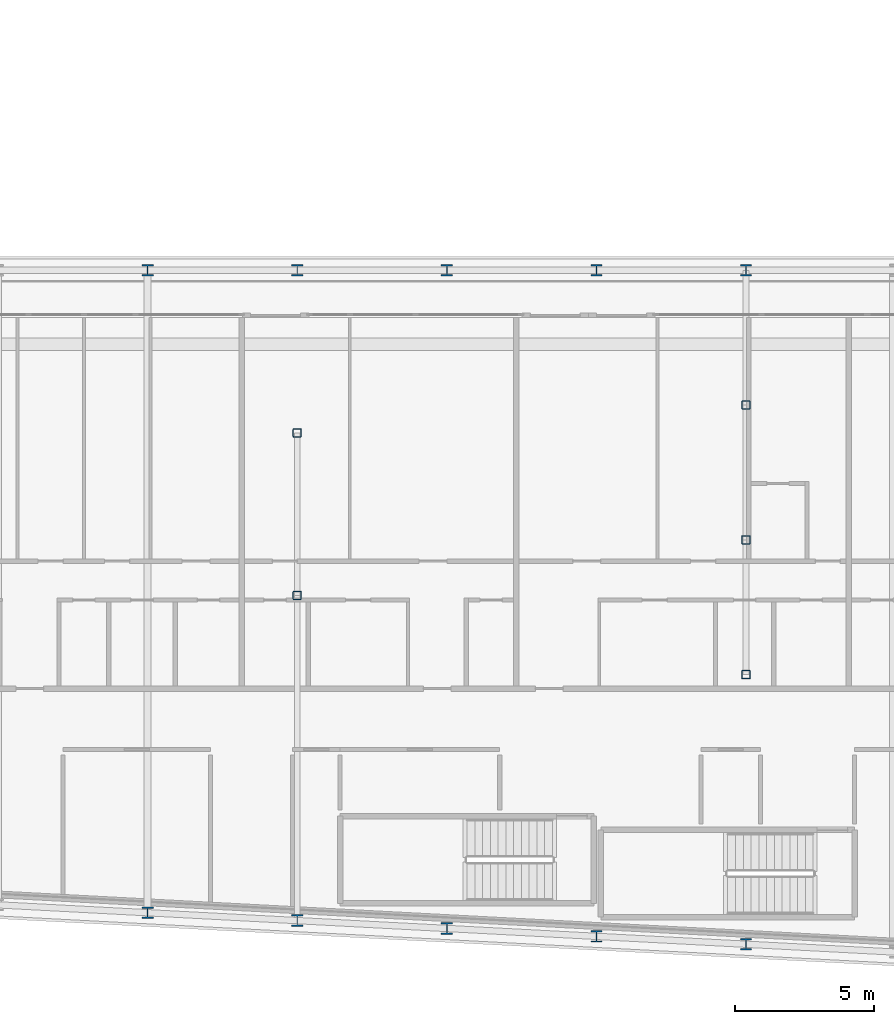
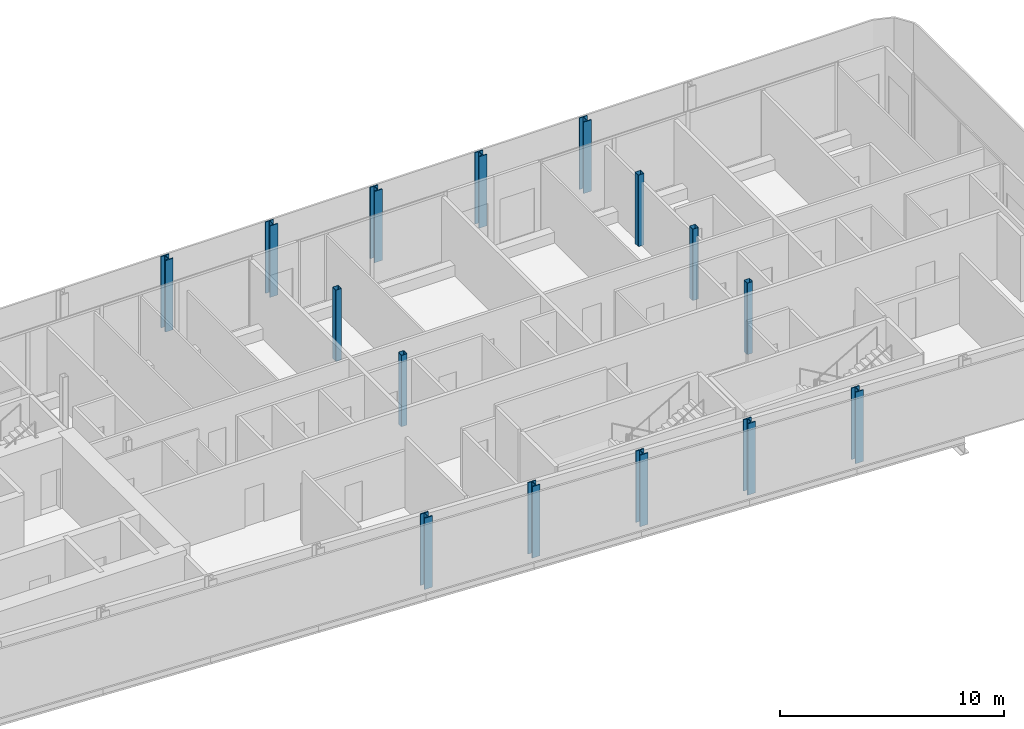
# One storey, part 2 of 30: 15 columns.
"""IFC4 building model written with IfcOpenShell, lengths in metres."""

from ifc_helpers import new_model, si_unit, direction, frame, origin, origin_2d, place, context, subcontext, project, spatial, hollow_rectangle, i_section, extrude, material, material_profile, profile_set, type_object, element, save


model = new_model("IFC4")

# Units and contexts
model_context = context("Model", 3, precision=1e-05, world=origin(), true_north=direction((0.0, 1.0)))
body_context = subcontext(model_context, "Body", "Model", "MODEL_VIEW")
ifc_project = project(units=[si_unit("LENGTHUNIT", "METRE"), si_unit("AREAUNIT", "SQUARE_METRE"), si_unit("VOLUMEUNIT", "CUBIC_METRE"), si_unit("PLANEANGLEUNIT", "RADIAN"), si_unit("MASSUNIT", "GRAM", prefix="KILO")], contexts=[model_context])

# Site, building, storey
site_placement = place(None, origin())
site = spatial("IfcSite", under=ifc_project, at=site_placement, CompositionType="ELEMENT")
building_placement = place(site_placement, origin())
building = spatial("IfcBuilding", under=site, at=building_placement, Name="Kheshtan School and Residences Tower", CompositionType="ELEMENT")
storey_placement = place(building_placement, frame((0.0, 0.0, 199.39990234375)))
storey = spatial("IfcBuildingStorey", under=building, at=storey_placement, Name="L47", CompositionType="ELEMENT", Elevation=199.39990234375)

# Columns
ifc_material_1 = material(Name="Steel ASTM A992 Grade 50", Category="steel")
ifc_material_profile_1 = material_profile(ifc_material_1, i_section(OverallWidth=0.408935546875, OverallDepth=0.425048828125, WebThickness=0.03271484375, FlangeThickness=0.052490234375, FilletRadius=0.0126953125, at=origin_2d()), Name="W360x421")
ifc_profile_set_1 = profile_set([ifc_material_profile_1], Name="Steel ASTM A992 Grade 50")
column_type_1 = type_object("IfcColumnType", Name="Column C3 W360x421 ASTM A992 Grade 50", PredefinedType="COLUMN", material=ifc_profile_set_1)
for number, where, z_axis, x_axis, name in (
    (1, (85.39990234375, 21.27392578125, 0.0), (0.0, 0.0, 1.0), (1.0, 0.0, 0.0), "Column C008"),
    (2, (80.0, 21.55810546875, 0.0), (0.0, 0.0, 1.0), (1.0, 0.0, 0.0), "Column C012"),
    (3, (74.60009765625, 21.843017578125, 0.0), (0.0, 0.0, 1.0), (1.0, 0.0, 0.0), "Column C013"),
    (4, (69.199951171875, 22.126953125, 0.0), (0.0, 0.0, 1.0), (1.0, 0.0, 0.0), "Column C014"),
    (5, (63.800048828125, 22.410888671875, 0.0), (0.0, 0.0, 1.0), (1.0, 0.0, 0.0), "Column C016"),
    (6, (63.800048828125, 45.60009765625, 0.0), (0.0, 0.0, 1.0), (1.0, 0.0, 0.0), "Column C063"),
    (7, (69.199951171875, 45.60009765625, 0.0), (0.0, 0.0, 1.0), (1.0, 0.0, 0.0), "Column C064"),
    (8, (74.60009765625, 45.60009765625, 0.0), (0.0, 0.0, 1.0), (1.0, 0.0, 0.0), "Column C065"),
    (9, (80.0, 45.60009765625, 0.0), (0.0, 0.0, 1.0), (1.0, 0.0, 0.0), "Column C066"),
    (10, (85.39990234375, 45.60009765625, 0.0), (0.0, 0.0, 1.0), (1.0, 0.0, 0.0), "Column C067"),
):
    element("IfcColumn", number, at=place(storey_placement, frame(where, z_axis=z_axis, x_axis=x_axis)), inside=storey, type_object=column_type_1, Name=name, PredefinedType="COLUMN", context=body_context, shape_type="SweptSolid", body=[
        extrude(i_section(OverallWidth=0.408935546875, OverallDepth=0.425048828125, WebThickness=0.03271484375, FlangeThickness=0.052490234375, FilletRadius=0.0126953125, at=origin_2d()), origin(), (0.0, 0.0, 1.0), 3.900146484375),
    ])
ifc_material_2 = material(Name="Steel ASTM A500 Grade C", Category="steel")
ifc_material_profile_2 = material_profile(ifc_material_2, hollow_rectangle(XDim=0.304931640625, YDim=0.304931640625, WallThickness=0.015869140625, InnerFilletRadius=0.015869140625, OuterFilletRadius=0.03173828125, at=origin_2d()), Name="HSS 305x305x15.9")
ifc_profile_set_2 = profile_set([ifc_material_profile_2], Name="Steel ASTM A500 Grade C")
column_type_2 = type_object("IfcColumnType", Name="Column IC2 HSS 305x305x15.9 ASTM A500 Grade C", PredefinedType="COLUMN", material=ifc_profile_set_2)
for number, where, z_axis, x_axis, name in (
    (11, (85.39990234375, 31.0048828125, 0.0), (0.0, 0.0, 1.0), (1.0, 0.0, 0.0), "Column C049"),
    (12, (69.199951171875, 33.863037109375, 0.0), (0.0, 0.0, 1.0), (1.0, 0.0, 0.0), "Column C050"),
    (13, (85.39990234375, 35.8701171875, 0.0), (0.0, 0.0, 1.0), (1.0, 0.0, 0.0), "Column C053"),
    (14, (69.199951171875, 39.73193359375, 0.0), (0.0, 0.0, 1.0), (1.0, 0.0, 0.0), "Column C054"),
    (15, (85.39990234375, 40.735107421875, 0.0), (0.0, 0.0, 1.0), (1.0, 0.0, 0.0), "Column C057"),
):
    element("IfcColumn", number, at=place(storey_placement, frame(where, z_axis=z_axis, x_axis=x_axis)), inside=storey, type_object=column_type_2, Name=name, PredefinedType="COLUMN", context=body_context, shape_type="SweptSolid", body=[
        extrude(hollow_rectangle(XDim=0.304931640625, YDim=0.304931640625, WallThickness=0.015869140625, InnerFilletRadius=0.015869140625, OuterFilletRadius=0.03173828125, at=origin_2d()), origin(), (0.0, 0.0, 1.0), 3.900146484375),
    ])

save(model, "model.ifc")
